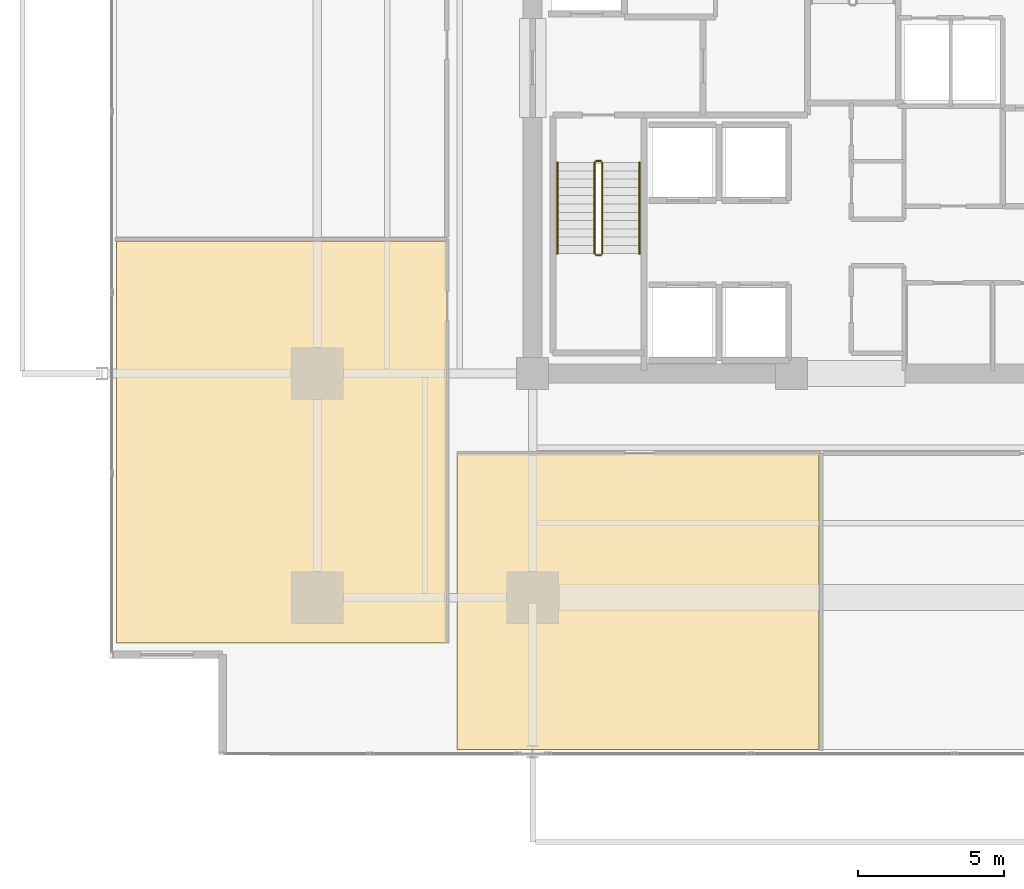
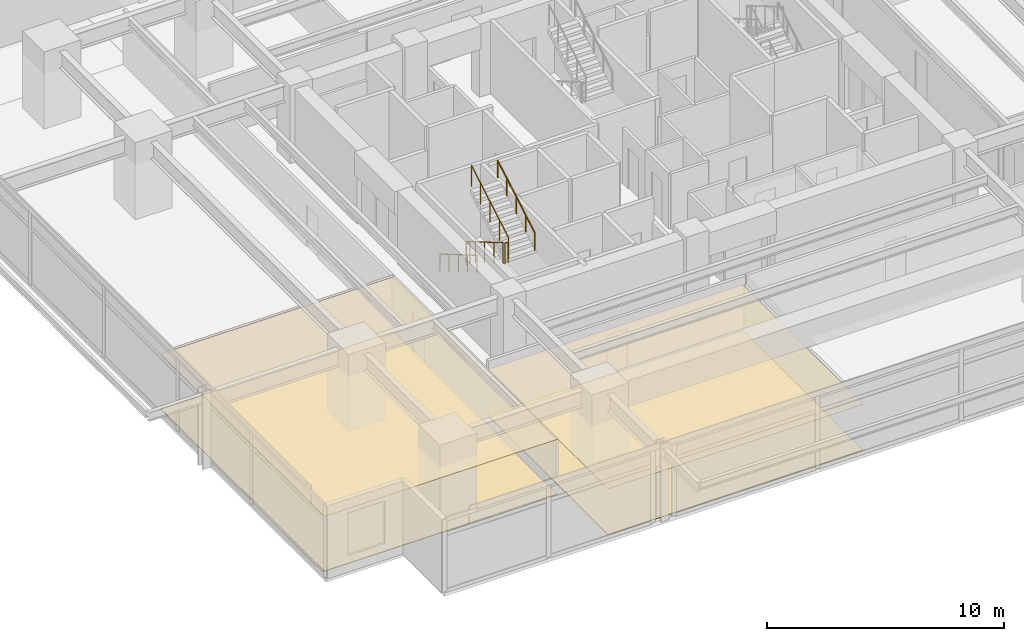
# One storey, part 18 of 21: 6 railings, 4 coverings.
"""IFC4 building model written with IfcOpenShell, lengths in metres."""

from ifc_helpers import new_model, si_unit, direction, frame, origin, origin_2d, place, context, subcontext, project, spatial, polyline, circle, outline, extrude, material, layer, layer_set, type_object, element, save


model = new_model("IFC4")

# Units and contexts
model_context = context("Model", 3, precision=1e-05, world=origin(), true_north=direction((0.0, 1.0)))
body_context = subcontext(model_context, "Body", "Model", "MODEL_VIEW")
ifc_project = project(units=[si_unit("LENGTHUNIT", "METRE"), si_unit("AREAUNIT", "SQUARE_METRE"), si_unit("VOLUMEUNIT", "CUBIC_METRE"), si_unit("PLANEANGLEUNIT", "RADIAN"), si_unit("MASSUNIT", "GRAM", prefix="KILO")], contexts=[model_context])

# Site, building, storey
site_placement = place(None, origin())
site = spatial("IfcSite", under=ifc_project, at=site_placement, CompositionType="ELEMENT")
building_placement = place(site_placement, origin())
building = spatial("IfcBuilding", under=site, at=building_placement, Name="Kovane Verandah Tower", CompositionType="ELEMENT")
storey_placement = place(building_placement, frame((0.0, 0.0, 47.60009765625)))
storey = spatial("IfcBuildingStorey", under=building, at=storey_placement, Name="L10", CompositionType="ELEMENT", Elevation=47.60009765625)

# Coverings
ifc_material_1 = material(Name="Perforated Acoustic Mineral-Fibre Ceiling Tile", Category="gypsum")
ifc_layer_1 = layer(ifc_material_1, 0.02490234375)
ifc_layer_set_1 = layer_set([ifc_layer_1], Name="Perforated Acoustic Mineral-Fibre Ceiling Tile")
covering_type_1 = type_object("IfcCoveringType", Name="CV-CEIL-25", PredefinedType="CEILING", material=ifc_layer_set_1)
covering_1_placement = place(storey_placement, frame((0.0, 0.0, 2.364990234375)))
element("IfcCovering", 1, at=covering_1_placement, inside=storey, type_object=covering_type_1, Name="L10 Focus Studio S1 Acoustic Ceiling", PredefinedType="CEILING", context=body_context, shape_type="SweptSolid", body=[
    extrude(outline(polyline([(26.39990234375, 5.588623046875), (38.842041015625, 5.588623046875), (38.842041015625, 15.75), (26.39990234375, 15.75), (26.39990234375, 5.588623046875)])), origin(), (0.0, 0.0, 1.0), 0.02490234375),
])
covering_2_placement = place(storey_placement, frame((0.0, 0.0, 2.824951171875)))
element("IfcCovering", 2, at=covering_2_placement, inside=storey, type_object=covering_type_1, Name="L10 Collaboration Hub W1 Acoustic Ceiling", PredefinedType="CEILING", context=body_context, shape_type="SweptSolid", body=[
    extrude(outline(polyline([(14.69091796875, 9.23876953125), (26.050048828125, 9.23876953125), (26.050048828125, 23.04736328125), (14.69091796875, 23.04736328125), (14.69091796875, 9.23876953125)])), origin(), (0.0, 0.0, 1.0), 0.02490234375),
])
ifc_material_2 = material(Name="Polished Terrazzo and Raised-Access Carpet Tile Finish", Category="concrete")
ifc_layer_2 = layer(ifc_material_2, 0.030029296875)
ifc_layer_set_2 = layer_set([ifc_layer_2], Name="Polished Terrazzo and Raised-Access Carpet Tile Finish")
covering_type_2 = type_object("IfcCoveringType", Name="CV-FLOR-30", PredefinedType="FLOORING", material=ifc_layer_set_2)
covering_3_placement = place(storey_placement, origin())
element("IfcCovering", 3, at=covering_3_placement, inside=storey, type_object=covering_type_2, Name="L10 Focus Studio S1 Floor Finish", PredefinedType="FLOORING", context=body_context, shape_type="SweptSolid", body=[
    extrude(outline(polyline([(26.39990234375, 5.588623046875), (38.842041015625, 5.588623046875), (38.842041015625, 15.75), (26.39990234375, 15.75), (26.39990234375, 5.588623046875)])), origin(), (0.0, 0.0, 1.0), 0.02978515625),
])
covering_4_placement = place(storey_placement, origin())
element("IfcCovering", 4, at=covering_4_placement, inside=storey, type_object=covering_type_2, Name="L10 Collaboration Hub W1 Floor Finish", PredefinedType="FLOORING", context=body_context, shape_type="SweptSolid", body=[
    extrude(outline(polyline([(14.69091796875, 9.23876953125), (26.050048828125, 9.23876953125), (26.050048828125, 23.04736328125), (14.69091796875, 23.04736328125), (14.69091796875, 9.23876953125)])), origin(), (0.0, 0.0, 1.0), 0.02978515625),
])

# Railings
ifc_material_3 = material(Name="Brushed Stainless Steel Handrail", Category="steel")
railing_type_1 = type_object("IfcRailingType", Name="RL-HAND-920", PredefinedType="HANDRAIL", material=ifc_material_3)
railing_1_placement = place(storey_placement, frame((29.85009765625, 25.75, 0.16650390625)))
element("IfcRailing", 5, at=railing_1_placement, inside=storey, type_object=railing_type_1, Name="L10 ST-01 stair handrail 1", PredefinedType="HANDRAIL", context=body_context, shape_type="SweptSolid", body=[
    extrude(circle(Radius=0.02392578125, at=origin_2d()), frame((0.0, 0.0, 0.8759765625), z_axis=(0.0, -0.863210265497, 0.504844567704), x_axis=(1.0, 0.0, 0.0)), (0.0, 0.0, 1.0), 3.6318359375),
    extrude(circle(Radius=0.02099609375, at=origin_2d()), origin(), (0.0, 0.0, 1.0), 0.851806640625),
    extrude(circle(Radius=0.02099609375, at=origin_2d()), frame((0.0, -0.78369140625, 0.45849609375)), (0.0, 0.0, 1.0), 0.851806640625),
    extrude(circle(Radius=0.02099609375, at=origin_2d()), frame((0.0, -1.5673828125, 0.916748046875)), (0.0, 0.0, 1.0), 0.851806640625),
    extrude(circle(Radius=0.02099609375, at=origin_2d()), frame((0.0, -2.351318359375, 1.375)), (0.0, 0.0, 1.0), 0.851806640625),
    extrude(circle(Radius=0.02099609375, at=origin_2d()), frame((0.0, -3.135009765625, 1.83349609375)), (0.0, 0.0, 1.0), 0.851806640625),
])
railing_2_placement = place(storey_placement, frame((32.669921875, 22.614990234375, 2.16650390625)))
element("IfcRailing", 6, at=railing_2_placement, inside=storey, type_object=railing_type_1, Name="L10 ST-01 stair handrail 2", PredefinedType="HANDRAIL", context=body_context, shape_type="SweptSolid", body=[
    extrude(circle(Radius=0.02392578125, at=origin_2d()), frame((0.0, 0.0, 0.8759765625), z_axis=(0.0, 0.863210265497, 0.504844567704), x_axis=(-1.0, 0.0, 0.0)), (0.0, 0.0, 1.0), 3.6318359375),
    extrude(circle(Radius=0.02099609375, at=origin_2d()), origin(), (0.0, 0.0, 1.0), 0.851806640625),
    extrude(circle(Radius=0.02099609375, at=origin_2d()), frame((0.0, 0.78369140625, 0.45849609375)), (0.0, 0.0, 1.0), 0.851806640625),
    extrude(circle(Radius=0.02099609375, at=origin_2d()), frame((0.0, 1.5673828125, 0.916748046875)), (0.0, 0.0, 1.0), 0.851806640625),
    extrude(circle(Radius=0.02099609375, at=origin_2d()), frame((0.0, 2.351318359375, 1.375)), (0.0, 0.0, 1.0), 0.851806640625),
    extrude(circle(Radius=0.02099609375, at=origin_2d()), frame((0.0, 3.135009765625, 1.83349609375)), (0.0, 0.0, 1.0), 0.851806640625),
])
ifc_material_4 = material(Name="Painted Steel Stairwell Guardrail", Category="steel")
railing_type_2 = type_object("IfcRailingType", Name="RL-STGUARD-1120", PredefinedType="GUARDRAIL", material=ifc_material_4)
railing_3_placement = place(storey_placement, frame((31.1298828125, 25.75, 0.16650390625)))
element("IfcRailing", 7, at=railing_3_placement, inside=storey, type_object=railing_type_2, Name="L10 ST-01 stair guard 1", PredefinedType="GUARDRAIL", context=body_context, shape_type="SweptSolid", body=[
    extrude(circle(Radius=0.02392578125, at=origin_2d()), frame((0.0, 0.0, 1.076171875), z_axis=(0.0, -0.863210265497, 0.504844567704), x_axis=(1.0, 0.0, 0.0)), (0.0, 0.0, 1.0), 3.6318359375),
    extrude(circle(Radius=0.02099609375, at=origin_2d()), origin(), (0.0, 0.0, 1.0), 1.052001953125),
    extrude(circle(Radius=0.02099609375, at=origin_2d()), frame((0.0, -0.78369140625, 0.45849609375)), (0.0, 0.0, 1.0), 1.052001953125),
    extrude(circle(Radius=0.02099609375, at=origin_2d()), frame((0.0, -1.5673828125, 0.916748046875)), (0.0, 0.0, 1.0), 1.052001953125),
    extrude(circle(Radius=0.02099609375, at=origin_2d()), frame((0.0, -2.351318359375, 1.375)), (0.0, 0.0, 1.0), 1.052001953125),
    extrude(circle(Radius=0.02099609375, at=origin_2d()), frame((0.0, -3.135009765625, 1.83349609375)), (0.0, 0.0, 1.0), 1.052001953125),
])
railing_4_placement = place(storey_placement, frame((31.179931640625, 22.56494140625, 2.0)))
element("IfcRailing", 8, at=railing_4_placement, inside=storey, type_object=railing_type_2, Name="L10 ST-01 stair guard 2", PredefinedType="GUARDRAIL", context=body_context, shape_type="SweptSolid", body=[
    extrude(circle(Radius=0.02392578125, at=origin_2d()), frame((0.0, 0.0, 1.076171875), z_axis=(1.0, 0.0, 0.0), x_axis=(0.0, 1.0, 0.0)), (0.0, 0.0, 1.0), 0.16015625),
    extrude(circle(Radius=0.02099609375, at=origin_2d()), origin(), (0.0, 0.0, 1.0), 1.052001953125),
    extrude(circle(Radius=0.02099609375, at=origin_2d()), frame((0.16015625, 0.0, 0.0)), (0.0, 0.0, 1.0), 1.052001953125),
])
railing_5_placement = place(storey_placement, frame((31.389892578125, 22.614990234375, 2.16650390625)))
element("IfcRailing", 9, at=railing_5_placement, inside=storey, type_object=railing_type_2, Name="L10 ST-01 stair guard 3", PredefinedType="GUARDRAIL", context=body_context, shape_type="SweptSolid", body=[
    extrude(circle(Radius=0.02392578125, at=origin_2d()), frame((0.0, 0.0, 1.076171875), z_axis=(0.0, 0.863210265497, 0.504844567704), x_axis=(-1.0, 0.0, 0.0)), (0.0, 0.0, 1.0), 3.6318359375),
    extrude(circle(Radius=0.02099609375, at=origin_2d()), origin(), (0.0, 0.0, 1.0), 1.052001953125),
    extrude(circle(Radius=0.02099609375, at=origin_2d()), frame((0.0, 0.78369140625, 0.45849609375)), (0.0, 0.0, 1.0), 1.052001953125),
    extrude(circle(Radius=0.02099609375, at=origin_2d()), frame((0.0, 1.5673828125, 0.916748046875)), (0.0, 0.0, 1.0), 1.052001953125),
    extrude(circle(Radius=0.02099609375, at=origin_2d()), frame((0.0, 2.351318359375, 1.375)), (0.0, 0.0, 1.0), 1.052001953125),
    extrude(circle(Radius=0.02099609375, at=origin_2d()), frame((0.0, 3.135009765625, 1.83349609375)), (0.0, 0.0, 1.0), 1.052001953125),
])
railing_6_placement = place(storey_placement, frame((31.179931640625, 25.800048828125, 0.0)))
element("IfcRailing", 10, at=railing_6_placement, inside=storey, type_object=railing_type_2, Name="L10 ST-01 stair guard 4", PredefinedType="GUARDRAIL", context=body_context, shape_type="SweptSolid", body=[
    extrude(circle(Radius=0.02392578125, at=origin_2d()), frame((0.0, 0.0, 1.076171875), z_axis=(1.0, 0.0, 0.0), x_axis=(0.0, 1.0, 0.0)), (0.0, 0.0, 1.0), 0.16015625),
    extrude(circle(Radius=0.02099609375, at=origin_2d()), origin(), (0.0, 0.0, 1.0), 1.052001953125),
    extrude(circle(Radius=0.02099609375, at=origin_2d()), frame((0.16015625, 0.0, 0.0)), (0.0, 0.0, 1.0), 1.052001953125),
])

save(model, "model.ifc")
